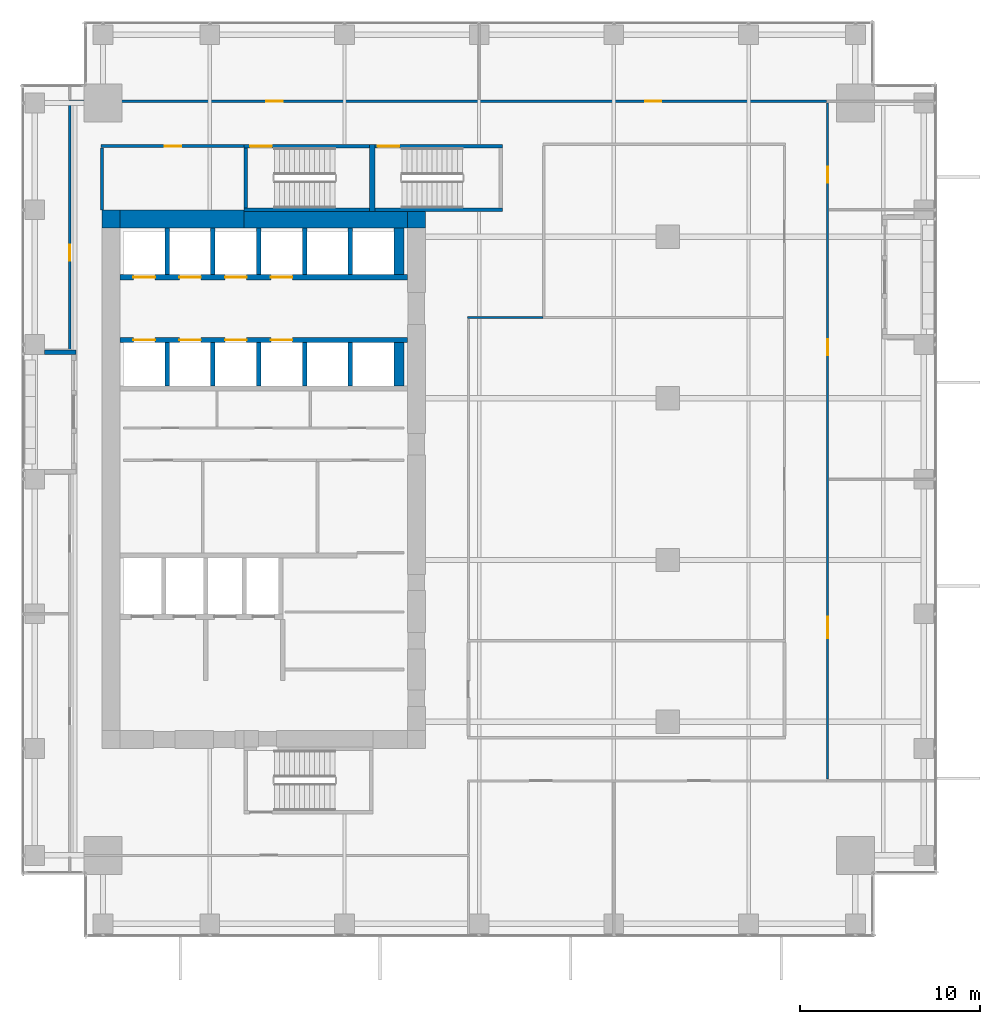
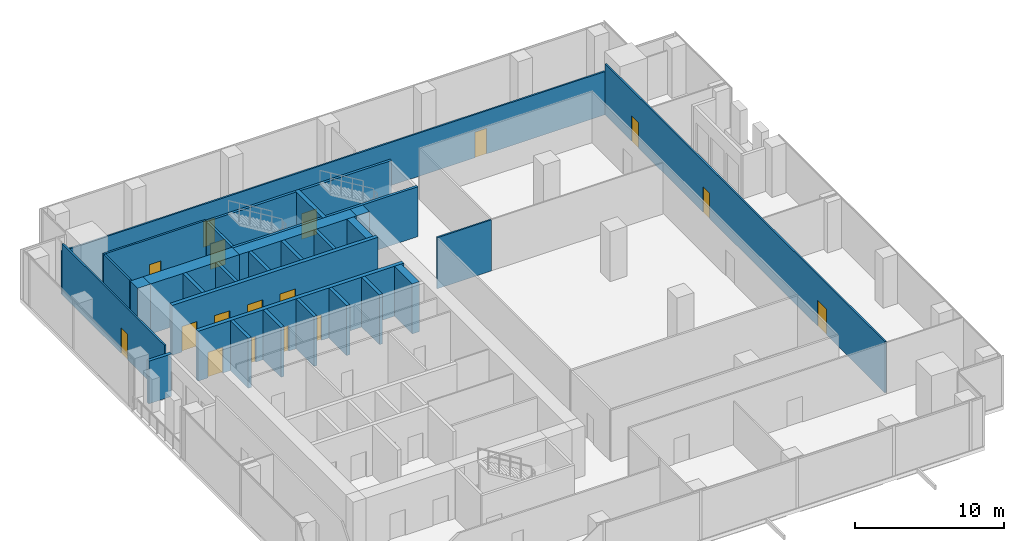
# One storey, part 31 of 35: 31 walls, 17 doors, 17 openings.
"""IFC4 building model written with IfcOpenShell, lengths in metres."""

import ifcopenshell
import ifcopenshell.guid

model = None  # the IFC model being written
_history = None  # IfcOwnerHistory: only IFC2X3 demands one
_inside = {}  # id of a spatial element -> (the spatial element, [elements in it])
_under = {}  # id of a project, library or spatial element -> (it, [spatial elements below it])
_declared = {}  # id of a project -> (the project, [libraries it declares])
_typed = {}  # id of a type object -> (the type object, [elements of that type])
_made_of = {}  # id of a material, layer set ... -> (it, [elements and type objects made of it])


def new_model(schema):
    """Start an empty IFC model of exactly this schema.

    Asked for "IFC4X3", IfcOpenShell would pick the latest addendum, in which some entities
    have other attributes; the version numbers below select the first issue.
    IFC2X3 requires an IfcOwnerHistory on every rooted entity: one is made here for all.
    """
    global model, _history
    if schema == "IFC4X3":
        model = ifcopenshell.file(schema_version=(4, 3, 0, 0))
    else:
        model = ifcopenshell.file(schema=schema)
    _inside.clear()
    _under.clear()
    _declared.clear()
    _typed.clear()
    _made_of.clear()
    _history = None
    if model.schema == "IFC2X3":
        org = make("IfcOrganization", Name="unknown")
        user = make(
            "IfcPersonAndOrganization",
            ThePerson=make("IfcPerson", FamilyName="unknown"),
            TheOrganization=org,
        )
        app = make(
            "IfcApplication",
            ApplicationDeveloper=org,
            Version="unknown",
            ApplicationFullName="unknown",
            ApplicationIdentifier="unknown",
        )
        _history = make(
            "IfcOwnerHistory",
            OwningUser=user,
            OwningApplication=app,
            ChangeAction="ADDED",
            CreationDate=0,
        )
    return model


def make(cls, **values):
    """One entity of the class cls with the attributes given. An attribute that is None is left unset."""
    return model.create_entity(
        cls, **{name: value for name, value in values.items() if value is not None}
    )


def rooted(cls, **values):
    """An entity with a GlobalId (a new one), such as an element, a storey or a relation."""
    return make(cls, GlobalId=ifcopenshell.guid.new(), OwnerHistory=_history, **values)


def si_unit(unit_type, name, prefix=None):
    """IfcSIUnit, for example si_unit("LENGTHUNIT", "METRE", prefix="MILLI")."""
    return make("IfcSIUnit", UnitType=unit_type, Prefix=prefix, Name=name)


def assignment(units):
    """IfcUnitAssignment: the units of a project."""
    return None if units is None else make("IfcUnitAssignment", Units=units)


def point(xyz):
    """IfcCartesianPoint."""
    return None if xyz is None else make("IfcCartesianPoint", Coordinates=xyz)


def direction(xyz):
    """IfcDirection."""
    return None if xyz is None else make("IfcDirection", DirectionRatios=xyz)


def frame(location, z_axis=None, x_axis=None):
    """IfcAxis2Placement3D, a coordinate frame: its origin and axes. An axis left out is left unset."""
    return make(
        "IfcAxis2Placement3D",
        Location=point(location),
        Axis=direction(z_axis),
        RefDirection=direction(x_axis),
    )


def frame_2d(location, x_axis=None):
    """IfcAxis2Placement2D, a coordinate frame in the plane: its origin and x axis."""
    return make(
        "IfcAxis2Placement2D", Location=point(location), RefDirection=direction(x_axis)
    )


def origin():
    """The frame at (0, 0, 0) with its axes left unset."""
    return frame((0.0, 0.0, 0.0))


def place(relative_to, where):
    """IfcLocalPlacement: puts the frame where relative to a parent placement (None: the world)."""
    return make(
        "IfcLocalPlacement", PlacementRelTo=relative_to, RelativePlacement=where
    )


def context(
    kind, dimensions, precision=None, world=None, true_north=None, identifier=None
):
    """IfcGeometricRepresentationContext, for example the 3D "Model" context."""
    return make(
        "IfcGeometricRepresentationContext",
        ContextIdentifier=identifier,
        ContextType=kind,
        CoordinateSpaceDimension=dimensions,
        Precision=precision,
        WorldCoordinateSystem=world,
        TrueNorth=true_north,
    )


def subcontext(parent, identifier, kind, view, scale=None):
    """IfcGeometricRepresentationSubContext, for example "Body" below "Model"."""
    return make(
        "IfcGeometricRepresentationSubContext",
        ContextIdentifier=identifier,
        ContextType=kind,
        ParentContext=parent,
        TargetScale=scale,
        TargetView=view,
    )


def project(units=None, contexts=None):
    """IfcProject with its units and contexts."""
    return rooted(
        "IfcProject",
        Name="project",
        RepresentationContexts=contexts,
        UnitsInContext=assignment(units),
    )


def spatial(cls, under=None, at=None, **own):
    """A site, building, storey or space (cls), placed at a placement, below another one or the project."""
    s = rooted(cls, ObjectPlacement=at, **own)
    if under is not None:
        _under.setdefault(under.id(), (under, []))[1].append(s)
    return s


def profile(cls, at=None, kind="AREA", **sizes):
    """A parametric profile (cls). Its sizes go by their IFC names, for example OverallWidth=200.0."""
    return make(cls, ProfileType=kind, Position=at, **sizes)


def rectangle(**sizes):
    """IfcRectangleProfileDef."""
    return profile("IfcRectangleProfileDef", **sizes)


def extrude(swept, where, along, depth):
    """IfcExtrudedAreaSolid: the profile swept, set in the frame where, extruded along a direction by depth."""
    return make(
        "IfcExtrudedAreaSolid",
        SweptArea=swept,
        Position=where,
        ExtrudedDirection=direction(along),
        Depth=depth,
    )


def shape(context_of_items, identifier, shape_type, items):
    """IfcShapeRepresentation: the items that make up one representation, for example the "Body"."""
    return make(
        "IfcShapeRepresentation",
        ContextOfItems=context_of_items,
        RepresentationIdentifier=identifier,
        RepresentationType=shape_type,
        Items=items,
    )


def source(mapping_origin, context_of_items, identifier, shape_type, items):
    """IfcRepresentationMap: a shape defined once, which mapped items show again and again."""
    return make(
        "IfcRepresentationMap",
        MappingOrigin=mapping_origin,
        MappedRepresentation=shape(context_of_items, identifier, shape_type, items),
    )


def transform(
    local_origin,
    x_axis=None,
    y_axis=None,
    z_axis=None,
    scale=None,
    scale2=None,
    scale3=None,
    uniform=True,
):
    """IfcCartesianTransformationOperator3D, or its non-uniform kind. x_axis, y_axis, z_axis: its Axis1, 2, 3."""
    if uniform:
        return make(
            "IfcCartesianTransformationOperator3D",
            Axis1=direction(x_axis),
            Axis2=direction(y_axis),
            LocalOrigin=point(local_origin),
            Scale=scale,
            Axis3=direction(z_axis),
        )
    return make(
        "IfcCartesianTransformationOperator3DnonUniform",
        Axis1=direction(x_axis),
        Axis2=direction(y_axis),
        LocalOrigin=point(local_origin),
        Scale=scale,
        Axis3=direction(z_axis),
        Scale2=scale2,
        Scale3=scale3,
    )


def mapped(mapping_source, mapping_target):
    """IfcMappedItem: shows the shape of a source again, moved by a transform."""
    return make(
        "IfcMappedItem", MappingSource=mapping_source, MappingTarget=mapping_target
    )


def material(Name=None, Category=None):
    """IfcMaterial."""
    return make("IfcMaterial", Name=Name, Category=Category)


def layer(
    of_material, thickness, ventilated=None, Name=None, Category=None, Priority=None
):
    """IfcMaterialLayer: one layer of a wall or slab, of a material (None: an air gap)."""
    return make(
        "IfcMaterialLayer",
        Material=of_material,
        LayerThickness=thickness,
        IsVentilated=ventilated,
        Name=Name,
        Category=Category,
        Priority=Priority,
    )


def layer_set(layers, Name=None):
    """IfcMaterialLayerSet."""
    return make("IfcMaterialLayerSet", MaterialLayers=layers, LayerSetName=Name)


def made_of(thing, what):
    """Note that an element or type object is made of a material, layer set ...; save() writes the relation."""
    if what is not None:
        _made_of.setdefault(what.id(), (what, []))[1].append(thing)
    return thing


def type_object(cls, material=None, **own):
    """A type object (cls), such as IfcWallType, which elements share."""
    return made_of(rooted(cls, **own), material)


def element(
    cls,
    number,
    at=None,
    inside=None,
    cuts=None,
    type_object=None,
    material=None,
    context=None,
    identifier="Body",
    shape_type=None,
    held_by="IfcProductDefinitionShape",
    body=None,
    shapes=None,
    **own,
):
    """One element of the class cls, such as IfcWall. Its Tag is "e" and its number.

    at: its placement. inside: the storey or other place that contains it. cuts: it is an
    opening in that element (IfcRelVoidsElement). A single representation is given by context,
    identifier, shape_type and body (its items); several are given by shapes. held_by: the class
    of the entity that holds the representations. save() writes the other relations.
    """
    e = rooted(cls, Tag="e%d" % number, ObjectPlacement=at, **own)
    if body is not None:
        shapes = [shape(context, identifier, shape_type, body)]
    if shapes is not None:
        e.Representation = make(held_by, Representations=shapes)
    if inside is not None:
        _inside.setdefault(inside.id(), (inside, []))[1].append(e)
    if cuts is not None:
        rooted(
            "IfcRelVoidsElement", RelatingBuildingElement=cuts, RelatedOpeningElement=e
        )
    if type_object is not None:
        _typed.setdefault(type_object.id(), (type_object, []))[1].append(e)
    return made_of(e, material)


def fill(opening, filler):
    """IfcRelFillsElement: the door or window that sits in an opening."""
    return rooted(
        "IfcRelFillsElement",
        RelatingOpeningElement=opening,
        RelatedBuildingElement=filler,
    )


def aggregate(whole, parts):
    """IfcRelAggregates: a whole, such as a stair, and the parts it consists of."""
    return rooted("IfcRelAggregates", RelatingObject=whole, RelatedObjects=parts)


def save(model, path):
    """Write the relations noted so far, then the file.

    IfcRelAggregates (storeys below a building ...), IfcRelContainedInSpatialStructure (elements
    in a storey), IfcRelDefinesByType, IfcRelAssociatesMaterial and IfcRelDeclares: one each for
    every whole, place, type object, material and project.
    """
    for whole, parts in _under.values():
        aggregate(whole, parts)
    for where, things in _inside.values():
        rooted(
            "IfcRelContainedInSpatialStructure",
            RelatedElements=things,
            RelatingStructure=where,
        )
    for kind, things in _typed.values():
        rooted("IfcRelDefinesByType", RelatedObjects=things, RelatingType=kind)
    for what, things in _made_of.values():
        rooted("IfcRelAssociatesMaterial", RelatedObjects=things, RelatingMaterial=what)
    for by, libraries in _declared.values():
        rooted("IfcRelDeclares", RelatingContext=by, RelatedDefinitions=libraries)
    model.write(path)


model = new_model("IFC4")

# Units and contexts
model_context = context("Model", 3, precision=1e-05, world=origin(), true_north=direction((0.0, 1.0)))
body_context = subcontext(model_context, "Body", "Model", "MODEL_VIEW")
ifc_project = project(units=[si_unit("LENGTHUNIT", "METRE"), si_unit("AREAUNIT", "SQUARE_METRE"), si_unit("VOLUMEUNIT", "CUBIC_METRE"), si_unit("PLANEANGLEUNIT", "RADIAN"), si_unit("MASSUNIT", "GRAM", prefix="KILO")], contexts=[model_context])

# Site, building, storey
site_placement = place(None, origin())
site = spatial("IfcSite", under=ifc_project, at=site_placement, CompositionType="ELEMENT")
building_placement = place(site_placement, origin())
building = spatial("IfcBuilding", under=site, at=building_placement, Name="Khomas Fold Tower", CompositionType="ELEMENT")
storey_placement = place(building_placement, frame((0.0, 0.0, 132.300048828125)))
storey = spatial("IfcBuildingStorey", under=building, at=storey_placement, Name="L28", CompositionType="ELEMENT", Elevation=132.300048828125)

# Walls
ifc_material_1 = material(Name="Concrete C70/85", Category="concrete")
ifc_layer_1 = layer(ifc_material_1, 1.0)
ifc_layer_set_1 = layer_set([ifc_layer_1], Name="Concrete C70/85")
wall_type_1 = type_object("IfcWallType", Name="Core wall 1000", PredefinedType="SHEAR", material=ifc_layer_set_1)
shared_shape_1 = source(origin(), body_context, "Body", "SweptSolid", [
    extrude(rectangle(XDim=6.89990234375, YDim=1.0, at=frame_2d((3.449951171875, 0.0))), origin(), (0.0, 0.0, 1.0), 4.099853515625),
])
wall_1_placement = place(storey_placement, frame((7.0, 41.5, 0.0), z_axis=(0.0, 0.0, 1.0), x_axis=(1.0, 0.0, 0.0)))
element("IfcWall", 1, at=wall_1_placement, inside=storey, type_object=wall_type_1, Name="Core wall CW-L-N-L21", PredefinedType="SHEAR", context=body_context, shape_type="MappedRepresentation", body=[
    mapped(shared_shape_1, transform((0.0, 0.0, 0.0))),
])
ifc_material_2 = material(Name="Concrete C70/85", Category="concrete")
ifc_layer_2 = layer(ifc_material_2, 0.89990234375)
ifc_layer_set_2 = layer_set([ifc_layer_2], Name="Concrete C70/85")
wall_type_2 = type_object("IfcWallType", Name="Core wall 900", PredefinedType="SHEAR", material=ifc_layer_set_2)
shared_shape_2 = source(origin(), body_context, "Body", "SweptSolid", [
    extrude(rectangle(XDim=9.10009765625, YDim=0.89990234375, at=frame_2d((4.550048828125, 0.0))), origin(), (0.0, 0.0, 1.0), 4.099853515625),
])
wall_2_placement = place(storey_placement, frame((13.89990234375, 41.449951171875, 0.0), z_axis=(0.0, 0.0, 1.0), x_axis=(1.0, 0.0, 0.0)))
element("IfcWall", 2, at=wall_2_placement, inside=storey, type_object=wall_type_2, Name="Core wall CW-L-N-L21-1", PredefinedType="SHEAR", context=body_context, shape_type="MappedRepresentation", body=[
    mapped(shared_shape_2, transform((0.0, 0.0, 0.0))),
])
ifc_material_3 = material(Name="Concrete C70/85", Category="concrete")
ifc_layer_3 = layer(ifc_material_3, 0.89990234375)
ifc_layer_set_3 = layer_set([ifc_layer_3], Name="Concrete C70/85")
wall_type_3 = type_object("IfcWallType", Name="Core corner wall 900", PredefinedType="SHEAR", material=ifc_layer_set_3)
shared_shape_3 = source(origin(), body_context, "Body", "SweptSolid", [
    extrude(rectangle(XDim=1.0, YDim=0.89990234375, at=frame_2d((0.5, 0.0))), origin(), (0.0, 0.0, 1.0), 4.099853515625),
])
wall_3_placement = place(storey_placement, frame((23.0, 41.449951171875, 0.0), z_axis=(0.0, 0.0, 1.0), x_axis=(1.0, 0.0, 0.0)))
element("IfcWall", 3, at=wall_3_placement, inside=storey, type_object=wall_type_3, Name="Core wall CW-L-NE-L21", PredefinedType="SHEAR", context=body_context, shape_type="MappedRepresentation", body=[
    mapped(shared_shape_3, transform((0.0, 0.0, 0.0))),
])
ifc_material_4 = material(Name="Concrete C70/85", Category="concrete")
ifc_layer_4 = layer(ifc_material_4, 1.0)
ifc_layer_set_4 = layer_set([ifc_layer_4], Name="Concrete C70/85")
wall_type_4 = type_object("IfcWallType", Name="Core corner wall 1000", PredefinedType="SHEAR", material=ifc_layer_set_4)
shared_shape_4 = source(origin(), body_context, "Body", "SweptSolid", [
    extrude(rectangle(XDim=1.0, YDim=1.0, at=frame_2d((0.5, 0.0))), origin(), (0.0, 0.0, 1.0), 4.099853515625),
])
wall_4_placement = place(storey_placement, frame((6.0, 41.5, 0.0), z_axis=(0.0, 0.0, 1.0), x_axis=(1.0, 0.0, 0.0)))
element("IfcWall", 4, at=wall_4_placement, inside=storey, type_object=wall_type_4, Name="Core wall CW-L-NW-L21", PredefinedType="SHEAR", context=body_context, shape_type="MappedRepresentation", body=[
    mapped(shared_shape_4, transform((0.0, 0.0, 0.0))),
])

# Wall, opening, door
ifc_material_5 = material(Name="Concrete C50/60", Category="concrete")
ifc_layer_5 = layer(ifc_material_5, 0.199951171875)
ifc_layer_set_5 = layer_set([ifc_layer_5], Name="Concrete C50/60")
wall_type_5 = type_object("IfcWallType", Name="Stair wall 200", PredefinedType="SHEAR", material=ifc_layer_set_5)
shared_shape_5 = source(origin(), body_context, "Body", "SweptSolid", [
    extrude(rectangle(XDim=7.0, YDim=0.199951171875, at=frame_2d((3.5, 0.0))), origin(), (0.0, 0.0, 1.0), 4.099853515625),
])
wall_5_placement = place(storey_placement, frame((13.89990234375, 45.550048828125, 0.0), z_axis=(0.0, 0.0, 1.0), x_axis=(1.0, 0.0, 0.0)))
wall_5 = element("IfcWall", 5, at=wall_5_placement, inside=storey, type_object=wall_type_5, Name="Stair wall SW-ST1-N", PredefinedType="SHEAR", context=body_context, shape_type="MappedRepresentation", body=[
    mapped(shared_shape_5, transform((0.0, 0.0, 0.0))),
])
shared_shape_6 = source(origin(), body_context, "Body", "SweptSolid", [
    extrude(rectangle(XDim=1.199951171875, YDim=2.10009765625, at=frame_2d((0.60009765625, 1.050048828125))), frame((0.0, 0.10986328125, 0.0), z_axis=(0.0, -1.0, 0.0), x_axis=(1.0, 0.0, 0.0)), (0.0, 0.0, 1.0), 0.219970703125),
])
opening_1_placement = place(wall_5_placement, frame((0.35009765625, 0.0, 0.0)))
opening_1 = element("IfcOpeningElement", 6, at=opening_1_placement, cuts=wall_5, Name="Opening SD-ST1", PredefinedType="OPENING", context=body_context, shape_type="MappedRepresentation", body=[
    mapped(shared_shape_6, transform((0.0, 0.0, 0.0))),
])
ifc_material_6 = material(Name="Steel door leaf", Category="steel")
door_type_1 = type_object("IfcDoorType", Name="Stair door 1200x2100 left-hand", OperationType="SINGLE_SWING_LEFT", PredefinedType="DOOR", material=ifc_material_6)
shared_shape_7 = source(origin(), body_context, "Body", "SweptSolid", [
    extrude(rectangle(XDim=1.199951171875, YDim=2.10009765625, at=frame_2d((0.60009765625, 1.050048828125))), frame((0.0, 0.02490234375, 0.0), z_axis=(0.0, -1.0, 0.0), x_axis=(1.0, 0.0, 0.0)), (0.0, 0.0, 1.0), 0.050048828125),
])
door_1_placement = place(opening_1_placement, origin())
door_1 = element("IfcDoor", 7, at=door_1_placement, inside=storey, type_object=door_type_1, Name="Stair door", OperationType="SINGLE_SWING_LEFT", OverallHeight=2.10009765625, OverallWidth=1.199951171875, PredefinedType="DOOR", context=body_context, shape_type="MappedRepresentation", body=[
    mapped(shared_shape_7, transform((0.0, 0.0, 0.0))),
])
fill(opening_1, door_1)

# Wall
wall_6_placement = place(storey_placement, frame((13.89990234375, 42.0, 0.0), z_axis=(0.0, 0.0, 1.0), x_axis=(1.0, 0.0, 0.0)))
element("IfcWall", 8, at=wall_6_placement, inside=storey, type_object=wall_type_5, Name="Stair wall SW-ST1-S", PredefinedType="SHEAR", context=body_context, shape_type="MappedRepresentation", body=[
    mapped(shared_shape_5, transform((0.0, 0.0, 0.0))),
])

# Wall, opening, door
shared_shape_8 = source(origin(), body_context, "Body", "SweptSolid", [
    extrude(rectangle(XDim=7.10009765625, YDim=0.199951171875, at=frame_2d((3.550048828125, 0.0))), origin(), (0.0, 0.0, 1.0), 4.099853515625),
])
wall_7_placement = place(storey_placement, frame((21.199951171875, 45.550048828125, 0.0), z_axis=(0.0, 0.0, 1.0), x_axis=(1.0, 0.0, 0.0)))
wall_7 = element("IfcWall", 9, at=wall_7_placement, inside=storey, type_object=wall_type_5, Name="Stair wall SW-ST3-N", PredefinedType="SHEAR", context=body_context, shape_type="MappedRepresentation", body=[
    mapped(shared_shape_8, transform((0.0, 0.0, 0.0))),
])
opening_2_placement = place(wall_7_placement, frame((0.14990234375, 0.0, 0.0)))
opening_2 = element("IfcOpeningElement", 10, at=opening_2_placement, cuts=wall_7, Name="Opening SD-ST3", PredefinedType="OPENING", context=body_context, shape_type="MappedRepresentation", body=[
    mapped(shared_shape_6, transform((0.0, 0.0, 0.0))),
])
door_2_placement = place(opening_2_placement, origin())
door_2 = element("IfcDoor", 11, at=door_2_placement, inside=storey, type_object=door_type_1, Name="Stair door", OperationType="SINGLE_SWING_LEFT", OverallHeight=2.10009765625, OverallWidth=1.199951171875, PredefinedType="DOOR", context=body_context, shape_type="MappedRepresentation", body=[
    mapped(shared_shape_7, transform((0.0, 0.0, 0.0))),
])
fill(opening_2, door_2)

# Walls
wall_8_placement = place(storey_placement, frame((21.199951171875, 42.0, 0.0), z_axis=(0.0, 0.0, 1.0), x_axis=(1.0, 0.0, 0.0)))
element("IfcWall", 12, at=wall_8_placement, inside=storey, type_object=wall_type_5, Name="Stair wall SW-ST3-S", PredefinedType="SHEAR", context=body_context, shape_type="MappedRepresentation", body=[
    mapped(shared_shape_8, transform((0.0, 0.0, 0.0))),
])
ifc_material_7 = material(Name="Concrete C50/60", Category="concrete")
ifc_layer_6 = layer(ifc_material_7, 0.300048828125)
ifc_layer_set_6 = layer_set([ifc_layer_6], Name="Concrete C50/60")
wall_type_6 = type_object("IfcWallType", Name="Stair wall 300", PredefinedType="SHEAR", material=ifc_layer_set_6)
shared_shape_9 = source(origin(), body_context, "Body", "SweptSolid", [
    extrude(rectangle(XDim=3.75, YDim=0.300048828125, at=frame_2d((1.875, 0.0))), origin(), (0.0, 0.0, 1.0), 4.099853515625),
])
wall_9_placement = place(storey_placement, frame((21.050048828125, 41.89990234375, 0.0), z_axis=(0.0, 0.0, 1.0), x_axis=(0.0, 1.0, 0.0)))
element("IfcWall", 13, at=wall_9_placement, inside=storey, type_object=wall_type_6, Name="Stair wall SW-ST1-E", PredefinedType="SHEAR", context=body_context, shape_type="MappedRepresentation", body=[
    mapped(shared_shape_9, transform((0.0, 0.0, 0.0))),
])
shared_shape_10 = source(origin(), body_context, "Body", "SweptSolid", [
    extrude(rectangle(XDim=3.349853515625, YDim=0.199951171875, at=frame_2d((1.6748046875, 0.0))), origin(), (0.0, 0.0, 1.0), 4.099853515625),
])
wall_10_placement = place(storey_placement, frame((14.0, 42.10009765625, 0.0), z_axis=(0.0, 0.0, 1.0), x_axis=(0.0, 1.0, 0.0)))
element("IfcWall", 14, at=wall_10_placement, inside=storey, type_object=wall_type_5, Name="Stair wall SW-ST1-W", PredefinedType="SHEAR", context=body_context, shape_type="MappedRepresentation", body=[
    mapped(shared_shape_10, transform((0.0, 0.0, 0.0))),
])

# Wall, openings, doors
ifc_material_8 = material(Name="Concrete C50/60", Category="concrete")
ifc_layer_7 = layer(ifc_material_8, 0.300048828125)
ifc_layer_set_7 = layer_set([ifc_layer_7], Name="Concrete C50/60")
wall_type_7 = type_object("IfcWallType", Name="Shaft wall 300", PredefinedType="STANDARD", material=ifc_layer_set_7)
shared_shape_11 = source(origin(), body_context, "Body", "SweptSolid", [
    extrude(rectangle(XDim=16.0, YDim=0.300048828125, at=frame_2d((8.0, 0.0))), origin(), (0.0, 0.0, 1.0), 4.099853515625),
])
wall_11_placement = place(storey_placement, frame((7.0, 38.25, 0.0), z_axis=(0.0, 0.0, 1.0), x_axis=(1.0, 0.0, 0.0)))
wall_11 = element("IfcWall", 15, at=wall_11_placement, inside=storey, type_object=wall_type_7, Name="Core wall SW-LRN-F", PredefinedType="STANDARD", context=body_context, shape_type="MappedRepresentation", body=[
    mapped(shared_shape_11, transform((0.0, 0.0, 0.0))),
])
shared_shape_12 = source(origin(), body_context, "Body", "SweptSolid", [
    extrude(rectangle(XDim=1.199951171875, YDim=2.10009765625, at=frame_2d((0.60009765625, 1.050048828125))), frame((0.0, 0.159912109375, 0.0), z_axis=(0.0, -1.0, 0.0), x_axis=(1.0, 0.0, 0.0)), (0.0, 0.0, 1.0), 0.320068359375),
])
opening_3_placement = place(wall_11_placement, frame((0.75, 0.0, 0.0)))
opening_3 = element("IfcOpeningElement", 16, at=opening_3_placement, cuts=wall_11, Name="Opening LD-LR5", PredefinedType="OPENING", context=body_context, shape_type="MappedRepresentation", body=[
    mapped(shared_shape_12, transform((0.0, 0.0, 0.0))),
])
opening_4_placement = place(wall_11_placement, frame((3.300048828125, 0.0, 0.0)))
opening_4 = element("IfcOpeningElement", 17, at=opening_4_placement, cuts=wall_11, Name="Opening LD-LR6", PredefinedType="OPENING", context=body_context, shape_type="MappedRepresentation", body=[
    mapped(shared_shape_12, transform((0.0, 0.0, 0.0))),
])
opening_5_placement = place(wall_11_placement, frame((5.85009765625, 0.0, 0.0)))
opening_5 = element("IfcOpeningElement", 18, at=opening_5_placement, cuts=wall_11, Name="Opening LD-LR7", PredefinedType="OPENING", context=body_context, shape_type="MappedRepresentation", body=[
    mapped(shared_shape_12, transform((0.0, 0.0, 0.0))),
])
opening_6_placement = place(wall_11_placement, frame((8.39990234375, 0.0, 0.0)))
opening_6 = element("IfcOpeningElement", 19, at=opening_6_placement, cuts=wall_11, Name="Opening LD-LR8", PredefinedType="OPENING", context=body_context, shape_type="MappedRepresentation", body=[
    mapped(shared_shape_12, transform((0.0, 0.0, 0.0))),
])
ifc_material_9 = material(Name="Steel door leaf", Category="steel")
door_type_2 = type_object("IfcDoorType", Name="Landing door 1200x2100", OperationType="DOUBLE_DOOR_SLIDING", PredefinedType="DOOR", material=ifc_material_9)
door_3_placement = place(opening_3_placement, origin())
door_3 = element("IfcDoor", 20, at=door_3_placement, inside=storey, type_object=door_type_2, Name="Lift landing door", OperationType="DOUBLE_DOOR_SLIDING", OverallHeight=2.10009765625, OverallWidth=1.199951171875, PredefinedType="DOOR", context=body_context, shape_type="MappedRepresentation", body=[
    mapped(shared_shape_7, transform((0.0, 0.0, 0.0))),
])
fill(opening_3, door_3)
door_4_placement = place(opening_4_placement, origin())
door_4 = element("IfcDoor", 21, at=door_4_placement, inside=storey, type_object=door_type_2, Name="Lift landing door", OperationType="DOUBLE_DOOR_SLIDING", OverallHeight=2.10009765625, OverallWidth=1.199951171875, PredefinedType="DOOR", context=body_context, shape_type="MappedRepresentation", body=[
    mapped(shared_shape_7, transform((0.0, 0.0, 0.0))),
])
fill(opening_4, door_4)
door_5_placement = place(opening_5_placement, origin())
door_5 = element("IfcDoor", 22, at=door_5_placement, inside=storey, type_object=door_type_2, Name="Lift landing door", OperationType="DOUBLE_DOOR_SLIDING", OverallHeight=2.10009765625, OverallWidth=1.199951171875, PredefinedType="DOOR", context=body_context, shape_type="MappedRepresentation", body=[
    mapped(shared_shape_7, transform((0.0, 0.0, 0.0))),
])
fill(opening_5, door_5)
door_6_placement = place(opening_6_placement, origin())
door_6 = element("IfcDoor", 23, at=door_6_placement, inside=storey, type_object=door_type_2, Name="Lift landing door", OperationType="DOUBLE_DOOR_SLIDING", OverallHeight=2.10009765625, OverallWidth=1.199951171875, PredefinedType="DOOR", context=body_context, shape_type="MappedRepresentation", body=[
    mapped(shared_shape_7, transform((0.0, 0.0, 0.0))),
])
fill(opening_6, door_6)

wall_12_placement = place(storey_placement, frame((7.0, 34.75, 0.0), z_axis=(0.0, 0.0, 1.0), x_axis=(1.0, 0.0, 0.0)))
wall_12 = element("IfcWall", 24, at=wall_12_placement, inside=storey, type_object=wall_type_7, Name="Core wall SW-LRS-F", PredefinedType="STANDARD", context=body_context, shape_type="MappedRepresentation", body=[
    mapped(shared_shape_11, transform((0.0, 0.0, 0.0))),
])
opening_7_placement = place(wall_12_placement, frame((0.75, 0.0, 0.0)))
opening_7 = element("IfcOpeningElement", 25, at=opening_7_placement, cuts=wall_12, Name="Opening LD-LR1", PredefinedType="OPENING", context=body_context, shape_type="MappedRepresentation", body=[
    mapped(shared_shape_12, transform((0.0, 0.0, 0.0))),
])
opening_8_placement = place(wall_12_placement, frame((3.300048828125, 0.0, 0.0)))
opening_8 = element("IfcOpeningElement", 26, at=opening_8_placement, cuts=wall_12, Name="Opening LD-LR2", PredefinedType="OPENING", context=body_context, shape_type="MappedRepresentation", body=[
    mapped(shared_shape_12, transform((0.0, 0.0, 0.0))),
])
opening_9_placement = place(wall_12_placement, frame((5.85009765625, 0.0, 0.0)))
opening_9 = element("IfcOpeningElement", 27, at=opening_9_placement, cuts=wall_12, Name="Opening LD-LR3", PredefinedType="OPENING", context=body_context, shape_type="MappedRepresentation", body=[
    mapped(shared_shape_12, transform((0.0, 0.0, 0.0))),
])
opening_10_placement = place(wall_12_placement, frame((8.39990234375, 0.0, 0.0)))
opening_10 = element("IfcOpeningElement", 28, at=opening_10_placement, cuts=wall_12, Name="Opening LD-LR4", PredefinedType="OPENING", context=body_context, shape_type="MappedRepresentation", body=[
    mapped(shared_shape_12, transform((0.0, 0.0, 0.0))),
])
door_7_placement = place(opening_7_placement, origin())
door_7 = element("IfcDoor", 29, at=door_7_placement, inside=storey, type_object=door_type_2, Name="Lift landing door", OperationType="DOUBLE_DOOR_SLIDING", OverallHeight=2.10009765625, OverallWidth=1.199951171875, PredefinedType="DOOR", context=body_context, shape_type="MappedRepresentation", body=[
    mapped(shared_shape_7, transform((0.0, 0.0, 0.0))),
])
fill(opening_7, door_7)
door_8_placement = place(opening_8_placement, origin())
door_8 = element("IfcDoor", 30, at=door_8_placement, inside=storey, type_object=door_type_2, Name="Lift landing door", OperationType="DOUBLE_DOOR_SLIDING", OverallHeight=2.10009765625, OverallWidth=1.199951171875, PredefinedType="DOOR", context=body_context, shape_type="MappedRepresentation", body=[
    mapped(shared_shape_7, transform((0.0, 0.0, 0.0))),
])
fill(opening_8, door_8)
door_9_placement = place(opening_9_placement, origin())
door_9 = element("IfcDoor", 31, at=door_9_placement, inside=storey, type_object=door_type_2, Name="Lift landing door", OperationType="DOUBLE_DOOR_SLIDING", OverallHeight=2.10009765625, OverallWidth=1.199951171875, PredefinedType="DOOR", context=body_context, shape_type="MappedRepresentation", body=[
    mapped(shared_shape_7, transform((0.0, 0.0, 0.0))),
])
fill(opening_9, door_9)
door_10_placement = place(opening_10_placement, origin())
door_10 = element("IfcDoor", 32, at=door_10_placement, inside=storey, type_object=door_type_2, Name="Lift landing door", OperationType="DOUBLE_DOOR_SLIDING", OverallHeight=2.10009765625, OverallWidth=1.199951171875, PredefinedType="DOOR", context=body_context, shape_type="MappedRepresentation", body=[
    mapped(shared_shape_7, transform((0.0, 0.0, 0.0))),
])
fill(opening_10, door_10)

# Walls
ifc_material_10 = material(Name="Concrete C50/60", Category="concrete")
ifc_layer_8 = layer(ifc_material_10, 0.25)
ifc_layer_set_8 = layer_set([ifc_layer_8], Name="Concrete C50/60")
wall_type_8 = type_object("IfcWallType", Name="Shaft wall 250", PredefinedType="STANDARD", material=ifc_layer_set_8)
shared_shape_13 = source(origin(), body_context, "Body", "SweptSolid", [
    extrude(rectangle(XDim=2.60009765625, YDim=0.25, at=frame_2d((1.300048828125, 0.0))), origin(), (0.0, 0.0, 1.0), 4.099853515625),
])
for number, where, z_axis, x_axis, name in (
    (33, (9.625, 38.39990234375, 0.0), (0.0, 0.0, 1.0), (0.0, 1.0, 0.0), "Core wall SW-LRN-P1"),
    (34, (12.175048828125, 38.39990234375, 0.0), (0.0, 0.0, 1.0), (0.0, 1.0, 0.0), "Core wall SW-LRN-P2"),
    (35, (14.72509765625, 38.39990234375, 0.0), (0.0, 0.0, 1.0), (0.0, 1.0, 0.0), "Core wall SW-LRN-P3"),
    (36, (17.27490234375, 38.39990234375, 0.0), (0.0, 0.0, 1.0), (0.0, 1.0, 0.0), "Core wall SW-LRN-P4"),
    (37, (19.824951171875, 38.39990234375, 0.0), (0.0, 0.0, 1.0), (0.0, 1.0, 0.0), "Core wall SW-LRN-P5"),
):
    element("IfcWall", number, at=place(storey_placement, frame(where, z_axis=z_axis, x_axis=x_axis)), inside=storey, type_object=wall_type_8, Name=name, PredefinedType="STANDARD", context=body_context, shape_type="MappedRepresentation", body=[
        mapped(shared_shape_13, transform((0.0, 0.0, 0.0))),
    ])
ifc_material_11 = material(Name="Concrete C50/60", Category="concrete")
ifc_layer_9 = layer(ifc_material_11, 0.550048828125)
ifc_layer_set_9 = layer_set([ifc_layer_9], Name="Concrete C50/60")
wall_type_9 = type_object("IfcWallType", Name="Shaft wall 550", PredefinedType="STANDARD", material=ifc_layer_set_9)
shared_shape_14 = source(origin(), body_context, "Body", "SweptSolid", [
    extrude(rectangle(XDim=2.60009765625, YDim=0.550048828125, at=frame_2d((1.300048828125, 0.0))), origin(), (0.0, 0.0, 1.0), 4.099853515625),
])
wall_13_placement = place(storey_placement, frame((22.52490234375, 38.39990234375, 0.0), z_axis=(0.0, 0.0, 1.0), x_axis=(0.0, 1.0, 0.0)))
element("IfcWall", 38, at=wall_13_placement, inside=storey, type_object=wall_type_9, Name="Core wall SW-LRN-PE", PredefinedType="STANDARD", context=body_context, shape_type="MappedRepresentation", body=[
    mapped(shared_shape_14, transform((0.0, 0.0, 0.0))),
])
shared_shape_15 = source(origin(), body_context, "Body", "SweptSolid", [
    extrude(rectangle(XDim=2.400146484375, YDim=0.25, at=frame_2d((1.2001953125, 0.0))), origin(), (0.0, 0.0, 1.0), 4.099853515625),
])
for number, where, z_axis, x_axis, name in (
    (39, (9.625, 32.199951171875, 0.0), (0.0, 0.0, 1.0), (0.0, 1.0, 0.0), "Core wall SW-LRS-P1"),
    (40, (12.175048828125, 32.199951171875, 0.0), (0.0, 0.0, 1.0), (0.0, 1.0, 0.0), "Core wall SW-LRS-P2"),
    (41, (14.72509765625, 32.199951171875, 0.0), (0.0, 0.0, 1.0), (0.0, 1.0, 0.0), "Core wall SW-LRS-P3"),
    (42, (17.27490234375, 32.199951171875, 0.0), (0.0, 0.0, 1.0), (0.0, 1.0, 0.0), "Core wall SW-LRS-P4"),
    (43, (19.824951171875, 32.199951171875, 0.0), (0.0, 0.0, 1.0), (0.0, 1.0, 0.0), "Core wall SW-LRS-P5"),
):
    element("IfcWall", number, at=place(storey_placement, frame(where, z_axis=z_axis, x_axis=x_axis)), inside=storey, type_object=wall_type_8, Name=name, PredefinedType="STANDARD", context=body_context, shape_type="MappedRepresentation", body=[
        mapped(shared_shape_15, transform((0.0, 0.0, 0.0))),
    ])
shared_shape_16 = source(origin(), body_context, "Body", "SweptSolid", [
    extrude(rectangle(XDim=2.400146484375, YDim=0.550048828125, at=frame_2d((1.2001953125, 0.0))), origin(), (0.0, 0.0, 1.0), 4.099853515625),
])
wall_14_placement = place(storey_placement, frame((22.52490234375, 32.199951171875, 0.0), z_axis=(0.0, 0.0, 1.0), x_axis=(0.0, 1.0, 0.0)))
element("IfcWall", 44, at=wall_14_placement, inside=storey, type_object=wall_type_9, Name="Core wall SW-LRS-PE", PredefinedType="STANDARD", context=body_context, shape_type="MappedRepresentation", body=[
    mapped(shared_shape_16, transform((0.0, 0.0, 0.0))),
])
ifc_material_12 = material(Name="Natural stone", Category="masonry")
ifc_layer_10 = layer(ifc_material_12, 0.0400390625)
ifc_material_13 = material(Name="Mineral wool insulation", Category="insulation")
ifc_layer_11 = layer(ifc_material_13, 0.10009765625)
ifc_material_14 = material(Name="Masonry", Category="masonry")
ifc_layer_12 = layer(ifc_material_14, 0.110107421875)
ifc_layer_set_10 = layer_set([ifc_layer_10, ifc_layer_11, ifc_layer_12], Name="Stone-faced insulated masonry")
wall_type_10 = type_object("IfcWallType", Name="BL-Balcony wall", PredefinedType="SOLIDWALL", material=ifc_layer_set_10)
shared_shape_17 = source(origin(), body_context, "Body", "SweptSolid", [
    extrude(rectangle(XDim=1.75, YDim=0.25, at=frame_2d((0.875, 0.0))), origin(), (0.0, 0.0, 1.0), 3.5),
])
wall_15_placement = place(storey_placement, frame((2.800048828125, 34.074951171875, 0.0), z_axis=(0.0, 0.0, 1.0), x_axis=(1.0, 0.0, 0.0)))
element("IfcWall", 45, at=wall_15_placement, inside=storey, type_object=wall_type_10, Name="Balcony return wall BAL-L28-W3-hi", PredefinedType="SOLIDWALL", context=body_context, shape_type="MappedRepresentation", body=[
    mapped(shared_shape_17, transform((0.0, 0.0, 0.0))),
])

# Wall, openings, doors
ifc_material_15 = material(Name="Plasterboard partition")
ifc_layer_13 = layer(ifc_material_15, 0.125)
ifc_layer_set_11 = layer_set([ifc_layer_13], Name="Plasterboard partition")
wall_type_11 = type_object("IfcWallType", Name="Partition PW2 125", PredefinedType="PARTITIONING", material=ifc_layer_set_11)
shared_shape_18 = source(origin(), body_context, "Body", "SweptSolid", [
    extrude(rectangle(XDim=37.64990234375, YDim=0.125, at=frame_2d((18.824951171875, 0.0))), origin(), (0.0, 0.0, 1.0), 4.199951171875),
])
wall_16_placement = place(storey_placement, frame((46.39990234375, 10.300048828125, 0.0), z_axis=(0.0, 0.0, 1.0), x_axis=(0.0, 1.0, 0.0)))
wall_16 = element("IfcWall", 46, at=wall_16_placement, inside=storey, type_object=wall_type_11, Name="Partition", PredefinedType="PARTITIONING", context=body_context, shape_type="MappedRepresentation", body=[
    mapped(shared_shape_18, transform((0.0, 0.0, 0.0))),
])
shared_shape_19 = source(origin(), body_context, "Body", "SweptSolid", [
    extrude(rectangle(XDim=1.199951171875, YDim=2.10009765625, at=frame_2d((0.60009765625, 1.050048828125))), frame((0.0, 0.072509765625, 0.0), z_axis=(0.0, -1.0, 0.0), x_axis=(1.0, 0.0, 0.0)), (0.0, 0.0, 1.0), 0.14501953125),
])
opening_11_placement = place(wall_16_placement, frame((7.85009765625, 0.0, 0.0)))
opening_11 = element("IfcOpeningElement", 47, at=opening_11_placement, cuts=wall_16, Name="Opening 0001", PredefinedType="OPENING", context=body_context, shape_type="MappedRepresentation", body=[
    mapped(shared_shape_19, transform((0.0, 0.0, 0.0))),
])
shared_shape_20 = source(origin(), body_context, "Body", "SweptSolid", [
    extrude(rectangle(XDim=0.89990234375, YDim=2.10009765625, at=frame_2d((0.449951171875, 1.050048828125))), frame((0.0, 0.072509765625, 0.0), z_axis=(0.0, -1.0, 0.0), x_axis=(1.0, 0.0, 0.0)), (0.0, 0.0, 1.0), 0.14501953125),
])
opening_12_placement = place(wall_16_placement, frame((23.60009765625, 0.0, 0.0)))
opening_12 = element("IfcOpeningElement", 48, at=opening_12_placement, cuts=wall_16, Name="Opening 0007", PredefinedType="OPENING", context=body_context, shape_type="MappedRepresentation", body=[
    mapped(shared_shape_20, transform((0.0, 0.0, 0.0))),
])
opening_13_placement = place(wall_16_placement, frame((33.199951171875, 0.0, 0.0)))
opening_13 = element("IfcOpeningElement", 49, at=opening_13_placement, cuts=wall_16, Name="Opening 0008", PredefinedType="OPENING", context=body_context, shape_type="MappedRepresentation", body=[
    mapped(shared_shape_20, transform((0.0, 0.0, 0.0))),
])
ifc_material_16 = material(Name="Timber door leaf", Category="wood")
door_type_3 = type_object("IfcDoorType", Name="Door 900x2100 left-hand", OperationType="SINGLE_SWING_LEFT", PredefinedType="DOOR", material=ifc_material_16)
shared_shape_21 = source(origin(), body_context, "Body", "SweptSolid", [
    extrude(rectangle(XDim=0.89990234375, YDim=2.10009765625, at=frame_2d((0.449951171875, 1.050048828125))), frame((0.0, 0.02490234375, 0.0), z_axis=(0.0, -1.0, 0.0), x_axis=(1.0, 0.0, 0.0)), (0.0, 0.0, 1.0), 0.050048828125),
])
door_11_placement = place(opening_12_placement, origin())
door_11 = element("IfcDoor", 50, at=door_11_placement, inside=storey, type_object=door_type_3, Name="Door", OperationType="SINGLE_SWING_LEFT", OverallHeight=2.10009765625, OverallWidth=0.89990234375, PredefinedType="DOOR", context=body_context, shape_type="MappedRepresentation", body=[
    mapped(shared_shape_21, transform((0.0, 0.0, 0.0))),
])
fill(opening_12, door_11)
ifc_material_17 = material(Name="Timber door leaf", Category="wood")
door_type_4 = type_object("IfcDoorType", Name="Door 900x2100 right-hand", OperationType="SINGLE_SWING_RIGHT", PredefinedType="DOOR", material=ifc_material_17)
door_12_placement = place(opening_13_placement, origin())
door_12 = element("IfcDoor", 51, at=door_12_placement, inside=storey, type_object=door_type_4, Name="Door", OperationType="SINGLE_SWING_RIGHT", OverallHeight=2.10009765625, OverallWidth=0.89990234375, PredefinedType="DOOR", context=body_context, shape_type="MappedRepresentation", body=[
    mapped(shared_shape_21, transform((0.0, 0.0, 0.0))),
])
fill(opening_13, door_12)
ifc_material_18 = material(Name="Timber door leaf", Category="wood")
door_type_5 = type_object("IfcDoorType", Name="Door 1200x2100 right-hand", OperationType="SINGLE_SWING_RIGHT", PredefinedType="DOOR", material=ifc_material_18)
door_13_placement = place(opening_11_placement, origin())
door_13 = element("IfcDoor", 52, at=door_13_placement, inside=storey, type_object=door_type_5, Name="Door", OperationType="SINGLE_SWING_RIGHT", OverallHeight=2.10009765625, OverallWidth=1.199951171875, PredefinedType="DOOR", context=body_context, shape_type="MappedRepresentation", body=[
    mapped(shared_shape_7, transform((0.0, 0.0, 0.0))),
])
fill(opening_11, door_13)

# Wall
shared_shape_22 = source(origin(), body_context, "Body", "SweptSolid", [
    extrude(rectangle(XDim=4.199951171875, YDim=0.125, at=frame_2d((2.10009765625, 0.0))), origin(), (0.0, 0.0, 1.0), 4.199951171875),
])
wall_17_placement = place(storey_placement, frame((26.35009765625, 36.0, 0.0), z_axis=(0.0, 0.0, 1.0), x_axis=(1.0, 0.0, 0.0)))
element("IfcWall", 53, at=wall_17_placement, inside=storey, type_object=wall_type_11, Name="Partition", PredefinedType="PARTITIONING", context=body_context, shape_type="MappedRepresentation", body=[
    mapped(shared_shape_22, transform((0.0, 0.0, 0.0))),
])

# Wall, openings, doors
shared_shape_23 = source(origin(), body_context, "Body", "SweptSolid", [
    extrude(rectangle(XDim=42.2001953125, YDim=0.125, at=frame_2d((21.10009765625, 0.0))), origin(), (0.0, 0.0, 1.0), 3.550048828125),
])
wall_18_placement = place(storey_placement, frame((4.14990234375, 48.050048828125, 0.0), z_axis=(0.0, 0.0, 1.0), x_axis=(1.0, 0.0, 0.0)))
wall_18 = element("IfcWall", 54, at=wall_18_placement, inside=storey, type_object=wall_type_11, Name="Partition", PredefinedType="PARTITIONING", context=body_context, shape_type="MappedRepresentation", body=[
    mapped(shared_shape_23, transform((0.0, 0.0, 0.0))),
])
opening_14_placement = place(wall_18_placement, frame((11.0, 0.0, 0.0)))
opening_14 = element("IfcOpeningElement", 55, at=opening_14_placement, cuts=wall_18, Name="Opening 0007", PredefinedType="OPENING", context=body_context, shape_type="MappedRepresentation", body=[
    mapped(shared_shape_20, transform((0.0, 0.0, 0.0))),
])
opening_15_placement = place(wall_18_placement, frame((32.10009765625, 0.0, 0.0)))
opening_15 = element("IfcOpeningElement", 56, at=opening_15_placement, cuts=wall_18, Name="Opening 0007", PredefinedType="OPENING", context=body_context, shape_type="MappedRepresentation", body=[
    mapped(shared_shape_20, transform((0.0, 0.0, 0.0))),
])
door_14_placement = place(opening_14_placement, origin())
door_14 = element("IfcDoor", 57, at=door_14_placement, inside=storey, type_object=door_type_3, Name="Door", OperationType="SINGLE_SWING_LEFT", OverallHeight=2.10009765625, OverallWidth=0.89990234375, PredefinedType="DOOR", context=body_context, shape_type="MappedRepresentation", body=[
    mapped(shared_shape_21, transform((0.0, 0.0, 0.0))),
])
fill(opening_14, door_14)
door_15_placement = place(opening_15_placement, origin())
door_15 = element("IfcDoor", 58, at=door_15_placement, inside=storey, type_object=door_type_3, Name="Door", OperationType="SINGLE_SWING_LEFT", OverallHeight=2.10009765625, OverallWidth=0.89990234375, PredefinedType="DOOR", context=body_context, shape_type="MappedRepresentation", body=[
    mapped(shared_shape_21, transform((0.0, 0.0, 0.0))),
])
fill(opening_15, door_15)

# Wall
ifc_material_19 = material(Name="Plasterboard fire partition")
ifc_layer_14 = layer(ifc_material_19, 0.14990234375)
ifc_layer_set_12 = layer_set([ifc_layer_14], Name="Plasterboard fire partition")
wall_type_12 = type_object("IfcWallType", Name="Plant room wall PW3 150", PredefinedType="PARTITIONING", material=ifc_layer_set_12)
shared_shape_24 = source(origin(), body_context, "Body", "SweptSolid", [
    extrude(rectangle(XDim=3.449951171875, YDim=0.14990234375, at=frame_2d((1.72509765625, 0.0))), origin(), (0.0, 0.0, 1.0), 4.199951171875),
])
wall_19_placement = place(storey_placement, frame((6.0, 42.0, 0.0), z_axis=(0.0, 0.0, 1.0), x_axis=(0.0, 1.0, 0.0)))
element("IfcWall", 59, at=wall_19_placement, inside=storey, type_object=wall_type_12, Name="Plant room wall", PredefinedType="PARTITIONING", context=body_context, shape_type="MappedRepresentation", body=[
    mapped(shared_shape_24, transform((0.0, 0.0, 0.0))),
])

# Wall, opening, door
shared_shape_25 = source(origin(), body_context, "Body", "SweptSolid", [
    extrude(rectangle(XDim=13.75, YDim=0.125, at=frame_2d((6.875, 0.0))), origin(), (0.0, 0.0, 1.0), 4.199951171875),
])
wall_20_placement = place(storey_placement, frame((4.199951171875, 34.199951171875, 0.0), z_axis=(0.0, 0.0, 1.0), x_axis=(0.0, 1.0, 0.0)))
wall_20 = element("IfcWall", 60, at=wall_20_placement, inside=storey, type_object=wall_type_11, Name="Partition", PredefinedType="PARTITIONING", context=body_context, shape_type="MappedRepresentation", body=[
    mapped(shared_shape_25, transform((0.0, 0.0, 0.0))),
])
opening_16_placement = place(wall_20_placement, frame((4.949951171875, 0.0, 0.0)))
opening_16 = element("IfcOpeningElement", 61, at=opening_16_placement, cuts=wall_20, Name="Opening 0008", PredefinedType="OPENING", context=body_context, shape_type="MappedRepresentation", body=[
    mapped(shared_shape_20, transform((0.0, 0.0, 0.0))),
])
door_16_placement = place(opening_16_placement, origin())
door_16 = element("IfcDoor", 62, at=door_16_placement, inside=storey, type_object=door_type_4, Name="Door", OperationType="SINGLE_SWING_RIGHT", OverallHeight=2.10009765625, OverallWidth=0.89990234375, PredefinedType="DOOR", context=body_context, shape_type="MappedRepresentation", body=[
    mapped(shared_shape_21, transform((0.0, 0.0, 0.0))),
])
fill(opening_16, door_16)

shared_shape_26 = source(origin(), body_context, "Body", "SweptSolid", [
    extrude(rectangle(XDim=7.949951171875, YDim=0.14990234375, at=frame_2d((3.97509765625, 0.0))), origin(), (0.0, 0.0, 1.0), 4.199951171875),
])
wall_21_placement = place(storey_placement, frame((5.949951171875, 45.550048828125, 0.0), z_axis=(0.0, 0.0, 1.0), x_axis=(1.0, 0.0, 0.0)))
wall_21 = element("IfcWall", 63, at=wall_21_placement, inside=storey, type_object=wall_type_12, Name="Plant room wall", PredefinedType="PARTITIONING", context=body_context, shape_type="MappedRepresentation", body=[
    mapped(shared_shape_26, transform((0.0, 0.0, 0.0))),
])
shared_shape_27 = source(origin(), body_context, "Body", "SweptSolid", [
    extrude(rectangle(XDim=0.89990234375, YDim=2.10009765625, at=frame_2d((0.449951171875, 1.050048828125))), frame((0.0, 0.0849609375, 0.0), z_axis=(0.0, -1.0, 0.0), x_axis=(1.0, 0.0, 0.0)), (0.0, 0.0, 1.0), 0.169921875),
])
opening_17_placement = place(wall_21_placement, frame((3.550048828125, 0.0, 0.0)))
opening_17 = element("IfcOpeningElement", 64, at=opening_17_placement, cuts=wall_21, Name="Opening 0003", PredefinedType="OPENING", context=body_context, shape_type="MappedRepresentation", body=[
    mapped(shared_shape_27, transform((0.0, 0.0, 0.0))),
])
ifc_material_20 = material(Name="Steel door leaf", Category="steel")
door_type_6 = type_object("IfcDoorType", Name="Plant room door 900x2100 right-hand", OperationType="SINGLE_SWING_RIGHT", PredefinedType="DOOR", material=ifc_material_20)
door_17_placement = place(opening_17_placement, origin())
door_17 = element("IfcDoor", 65, at=door_17_placement, inside=storey, type_object=door_type_6, Name="Plant room door", OperationType="SINGLE_SWING_RIGHT", OverallHeight=2.10009765625, OverallWidth=0.89990234375, PredefinedType="DOOR", context=body_context, shape_type="MappedRepresentation", body=[
    mapped(shared_shape_21, transform((0.0, 0.0, 0.0))),
])
fill(opening_17, door_17)

save(model, "model.ifc")
